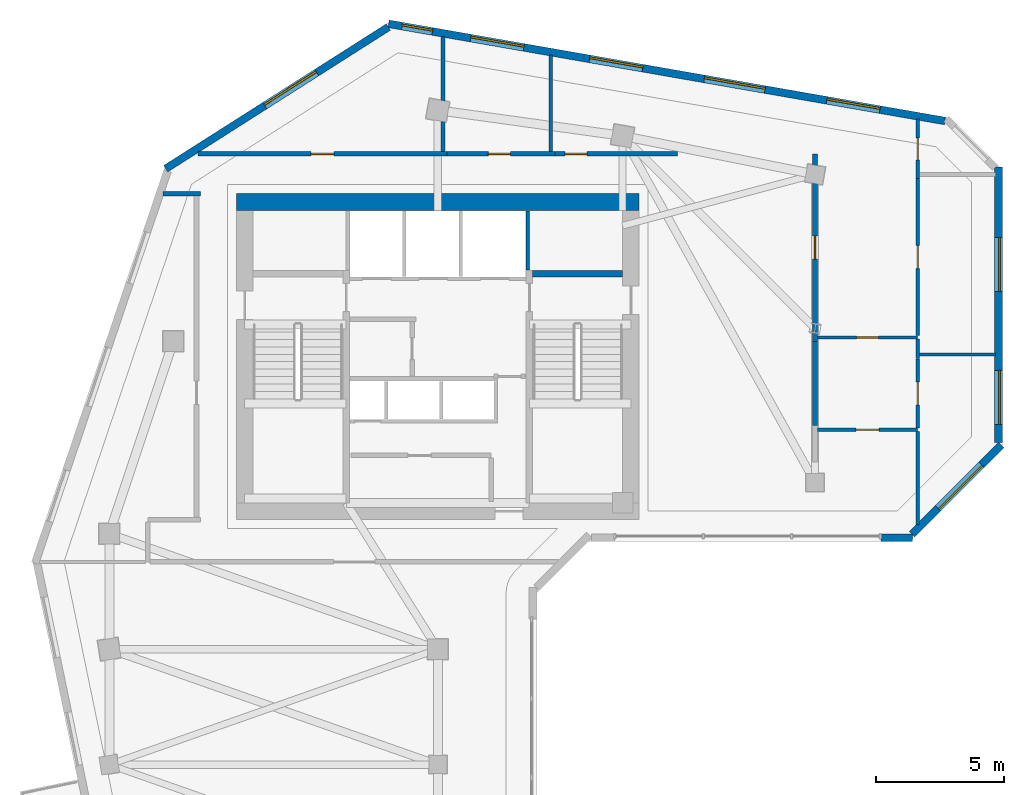
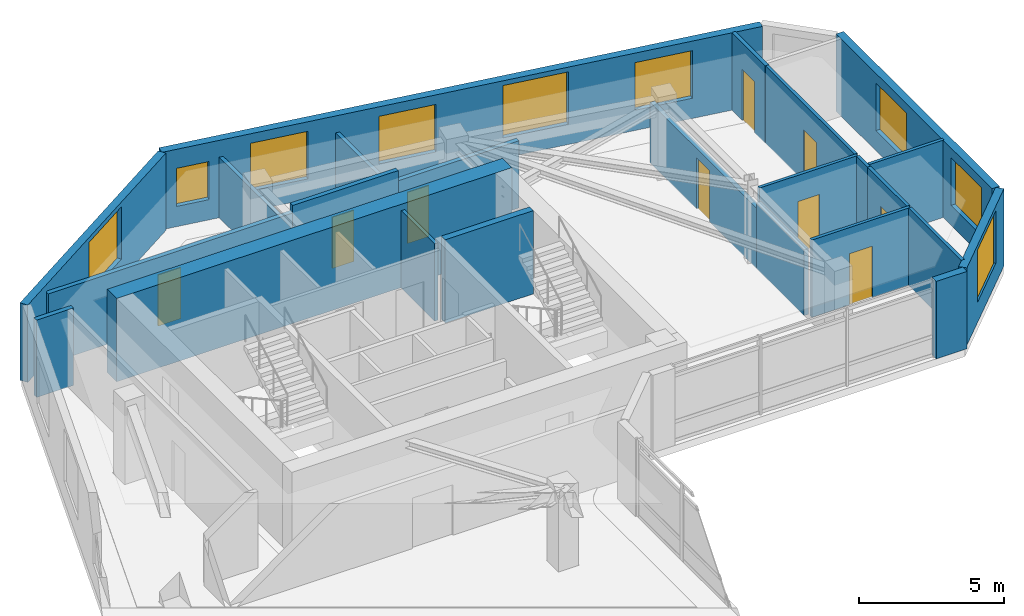
# One storey, part 5 of 9: 24 walls, 9 doors, 9 windows, 18 openings.
"""IFC4 building model written with IfcOpenShell, lengths in metres."""

import ifcopenshell
import ifcopenshell.guid

model = None  # the IFC model being written
_history = None  # IfcOwnerHistory: only IFC2X3 demands one
_inside = {}  # id of a spatial element -> (the spatial element, [elements in it])
_under = {}  # id of a project, library or spatial element -> (it, [spatial elements below it])
_declared = {}  # id of a project -> (the project, [libraries it declares])
_typed = {}  # id of a type object -> (the type object, [elements of that type])
_made_of = {}  # id of a material, layer set ... -> (it, [elements and type objects made of it])


def new_model(schema):
    """Start an empty IFC model of exactly this schema.

    Asked for "IFC4X3", IfcOpenShell would pick the latest addendum, in which some entities
    have other attributes; the version numbers below select the first issue.
    IFC2X3 requires an IfcOwnerHistory on every rooted entity: one is made here for all.
    """
    global model, _history
    if schema == "IFC4X3":
        model = ifcopenshell.file(schema_version=(4, 3, 0, 0))
    else:
        model = ifcopenshell.file(schema=schema)
    _inside.clear()
    _under.clear()
    _declared.clear()
    _typed.clear()
    _made_of.clear()
    _history = None
    if model.schema == "IFC2X3":
        org = make("IfcOrganization", Name="unknown")
        user = make(
            "IfcPersonAndOrganization",
            ThePerson=make("IfcPerson", FamilyName="unknown"),
            TheOrganization=org,
        )
        app = make(
            "IfcApplication",
            ApplicationDeveloper=org,
            Version="unknown",
            ApplicationFullName="unknown",
            ApplicationIdentifier="unknown",
        )
        _history = make(
            "IfcOwnerHistory",
            OwningUser=user,
            OwningApplication=app,
            ChangeAction="ADDED",
            CreationDate=0,
        )
    return model


def make(cls, **values):
    """One entity of the class cls with the attributes given. An attribute that is None is left unset."""
    return model.create_entity(
        cls, **{name: value for name, value in values.items() if value is not None}
    )


def rooted(cls, **values):
    """An entity with a GlobalId (a new one), such as an element, a storey or a relation."""
    return make(cls, GlobalId=ifcopenshell.guid.new(), OwnerHistory=_history, **values)


def si_unit(unit_type, name, prefix=None):
    """IfcSIUnit, for example si_unit("LENGTHUNIT", "METRE", prefix="MILLI")."""
    return make("IfcSIUnit", UnitType=unit_type, Prefix=prefix, Name=name)


def assignment(units):
    """IfcUnitAssignment: the units of a project."""
    return None if units is None else make("IfcUnitAssignment", Units=units)


def point(xyz):
    """IfcCartesianPoint."""
    return None if xyz is None else make("IfcCartesianPoint", Coordinates=xyz)


def direction(xyz):
    """IfcDirection."""
    return None if xyz is None else make("IfcDirection", DirectionRatios=xyz)


def frame(location, z_axis=None, x_axis=None):
    """IfcAxis2Placement3D, a coordinate frame: its origin and axes. An axis left out is left unset."""
    return make(
        "IfcAxis2Placement3D",
        Location=point(location),
        Axis=direction(z_axis),
        RefDirection=direction(x_axis),
    )


def frame_2d(location, x_axis=None):
    """IfcAxis2Placement2D, a coordinate frame in the plane: its origin and x axis."""
    return make(
        "IfcAxis2Placement2D", Location=point(location), RefDirection=direction(x_axis)
    )


def origin():
    """The frame at (0, 0, 0) with its axes left unset."""
    return frame((0.0, 0.0, 0.0))


def place(relative_to, where):
    """IfcLocalPlacement: puts the frame where relative to a parent placement (None: the world)."""
    return make(
        "IfcLocalPlacement", PlacementRelTo=relative_to, RelativePlacement=where
    )


def context(
    kind, dimensions, precision=None, world=None, true_north=None, identifier=None
):
    """IfcGeometricRepresentationContext, for example the 3D "Model" context."""
    return make(
        "IfcGeometricRepresentationContext",
        ContextIdentifier=identifier,
        ContextType=kind,
        CoordinateSpaceDimension=dimensions,
        Precision=precision,
        WorldCoordinateSystem=world,
        TrueNorth=true_north,
    )


def subcontext(parent, identifier, kind, view, scale=None):
    """IfcGeometricRepresentationSubContext, for example "Body" below "Model"."""
    return make(
        "IfcGeometricRepresentationSubContext",
        ContextIdentifier=identifier,
        ContextType=kind,
        ParentContext=parent,
        TargetScale=scale,
        TargetView=view,
    )


def project(units=None, contexts=None):
    """IfcProject with its units and contexts."""
    return rooted(
        "IfcProject",
        Name="project",
        RepresentationContexts=contexts,
        UnitsInContext=assignment(units),
    )


def spatial(cls, under=None, at=None, **own):
    """A site, building, storey or space (cls), placed at a placement, below another one or the project."""
    s = rooted(cls, ObjectPlacement=at, **own)
    if under is not None:
        _under.setdefault(under.id(), (under, []))[1].append(s)
    return s


def profile(cls, at=None, kind="AREA", **sizes):
    """A parametric profile (cls). Its sizes go by their IFC names, for example OverallWidth=200.0."""
    return make(cls, ProfileType=kind, Position=at, **sizes)


def rectangle(**sizes):
    """IfcRectangleProfileDef."""
    return profile("IfcRectangleProfileDef", **sizes)


def extrude(swept, where, along, depth):
    """IfcExtrudedAreaSolid: the profile swept, set in the frame where, extruded along a direction by depth."""
    return make(
        "IfcExtrudedAreaSolid",
        SweptArea=swept,
        Position=where,
        ExtrudedDirection=direction(along),
        Depth=depth,
    )


def shape(context_of_items, identifier, shape_type, items):
    """IfcShapeRepresentation: the items that make up one representation, for example the "Body"."""
    return make(
        "IfcShapeRepresentation",
        ContextOfItems=context_of_items,
        RepresentationIdentifier=identifier,
        RepresentationType=shape_type,
        Items=items,
    )


def source(mapping_origin, context_of_items, identifier, shape_type, items):
    """IfcRepresentationMap: a shape defined once, which mapped items show again and again."""
    return make(
        "IfcRepresentationMap",
        MappingOrigin=mapping_origin,
        MappedRepresentation=shape(context_of_items, identifier, shape_type, items),
    )


def transform(
    local_origin,
    x_axis=None,
    y_axis=None,
    z_axis=None,
    scale=None,
    scale2=None,
    scale3=None,
    uniform=True,
):
    """IfcCartesianTransformationOperator3D, or its non-uniform kind. x_axis, y_axis, z_axis: its Axis1, 2, 3."""
    if uniform:
        return make(
            "IfcCartesianTransformationOperator3D",
            Axis1=direction(x_axis),
            Axis2=direction(y_axis),
            LocalOrigin=point(local_origin),
            Scale=scale,
            Axis3=direction(z_axis),
        )
    return make(
        "IfcCartesianTransformationOperator3DnonUniform",
        Axis1=direction(x_axis),
        Axis2=direction(y_axis),
        LocalOrigin=point(local_origin),
        Scale=scale,
        Axis3=direction(z_axis),
        Scale2=scale2,
        Scale3=scale3,
    )


def mapped(mapping_source, mapping_target):
    """IfcMappedItem: shows the shape of a source again, moved by a transform."""
    return make(
        "IfcMappedItem", MappingSource=mapping_source, MappingTarget=mapping_target
    )


def material(Name=None, Category=None):
    """IfcMaterial."""
    return make("IfcMaterial", Name=Name, Category=Category)


def layer(
    of_material, thickness, ventilated=None, Name=None, Category=None, Priority=None
):
    """IfcMaterialLayer: one layer of a wall or slab, of a material (None: an air gap)."""
    return make(
        "IfcMaterialLayer",
        Material=of_material,
        LayerThickness=thickness,
        IsVentilated=ventilated,
        Name=Name,
        Category=Category,
        Priority=Priority,
    )


def layer_set(layers, Name=None):
    """IfcMaterialLayerSet."""
    return make("IfcMaterialLayerSet", MaterialLayers=layers, LayerSetName=Name)


def made_of(thing, what):
    """Note that an element or type object is made of a material, layer set ...; save() writes the relation."""
    if what is not None:
        _made_of.setdefault(what.id(), (what, []))[1].append(thing)
    return thing


def type_object(cls, material=None, **own):
    """A type object (cls), such as IfcWallType, which elements share."""
    return made_of(rooted(cls, **own), material)


def element(
    cls,
    number,
    at=None,
    inside=None,
    cuts=None,
    type_object=None,
    material=None,
    context=None,
    identifier="Body",
    shape_type=None,
    held_by="IfcProductDefinitionShape",
    body=None,
    shapes=None,
    **own,
):
    """One element of the class cls, such as IfcWall. Its Tag is "e" and its number.

    at: its placement. inside: the storey or other place that contains it. cuts: it is an
    opening in that element (IfcRelVoidsElement). A single representation is given by context,
    identifier, shape_type and body (its items); several are given by shapes. held_by: the class
    of the entity that holds the representations. save() writes the other relations.
    """
    e = rooted(cls, Tag="e%d" % number, ObjectPlacement=at, **own)
    if body is not None:
        shapes = [shape(context, identifier, shape_type, body)]
    if shapes is not None:
        e.Representation = make(held_by, Representations=shapes)
    if inside is not None:
        _inside.setdefault(inside.id(), (inside, []))[1].append(e)
    if cuts is not None:
        rooted(
            "IfcRelVoidsElement", RelatingBuildingElement=cuts, RelatedOpeningElement=e
        )
    if type_object is not None:
        _typed.setdefault(type_object.id(), (type_object, []))[1].append(e)
    return made_of(e, material)


def fill(opening, filler):
    """IfcRelFillsElement: the door or window that sits in an opening."""
    return rooted(
        "IfcRelFillsElement",
        RelatingOpeningElement=opening,
        RelatedBuildingElement=filler,
    )


def aggregate(whole, parts):
    """IfcRelAggregates: a whole, such as a stair, and the parts it consists of."""
    return rooted("IfcRelAggregates", RelatingObject=whole, RelatedObjects=parts)


def save(model, path):
    """Write the relations noted so far, then the file.

    IfcRelAggregates (storeys below a building ...), IfcRelContainedInSpatialStructure (elements
    in a storey), IfcRelDefinesByType, IfcRelAssociatesMaterial and IfcRelDeclares: one each for
    every whole, place, type object, material and project.
    """
    for whole, parts in _under.values():
        aggregate(whole, parts)
    for where, things in _inside.values():
        rooted(
            "IfcRelContainedInSpatialStructure",
            RelatedElements=things,
            RelatingStructure=where,
        )
    for kind, things in _typed.values():
        rooted("IfcRelDefinesByType", RelatedObjects=things, RelatingType=kind)
    for what, things in _made_of.values():
        rooted("IfcRelAssociatesMaterial", RelatedObjects=things, RelatingMaterial=what)
    for by, libraries in _declared.values():
        rooted("IfcRelDeclares", RelatingContext=by, RelatedDefinitions=libraries)
    model.write(path)


model = new_model("IFC4")

# Units and contexts
model_context = context("Model", 3, precision=1e-05, world=origin(), true_north=direction((0.0, 1.0)))
body_context = subcontext(model_context, "Body", "Model", "MODEL_VIEW")
ifc_project = project(units=[si_unit("LENGTHUNIT", "METRE"), si_unit("AREAUNIT", "SQUARE_METRE"), si_unit("VOLUMEUNIT", "CUBIC_METRE"), si_unit("PLANEANGLEUNIT", "RADIAN"), si_unit("MASSUNIT", "GRAM", prefix="KILO")], contexts=[model_context])

# Site, building, storey
site_placement = place(None, origin())
site = spatial("IfcSite", under=ifc_project, at=site_placement, CompositionType="ELEMENT")
building_placement = place(site_placement, origin())
building = spatial("IfcBuilding", under=site, at=building_placement, Name="Calvemar Wedge Station Tower", CompositionType="ELEMENT")
storey_placement = place(building_placement, frame((0.0, 0.0, 211.39990234375)))
storey = spatial("IfcBuildingStorey", under=building, at=storey_placement, Name="L53", CompositionType="ELEMENT", Elevation=211.39990234375)

# Walls
ifc_material_1 = material(Name="Concrete C50", Category="concrete")
ifc_layer_1 = layer(ifc_material_1, 0.260009765625)
ifc_layer_set_1 = layer_set([ifc_layer_1], Name="Concrete C50")
wall_type_1 = type_object("IfcWallType", Name="SW-CORE-260", PredefinedType="SHEAR", material=ifc_layer_set_1)
wall_1_placement = place(storey_placement, frame((27.5, 43.1298828125, 0.0), z_axis=(0.0, 0.0, 1.0), x_axis=(1.0, 0.0, 0.0)))
element("IfcWall", 1, at=wall_1_placement, inside=storey, type_object=wall_type_1, Name="Storey L53 Core Shear Wall STC2-N", PredefinedType="SHEAR", context=body_context, shape_type="SweptSolid", body=[
    extrude(rectangle(XDim=3.5, YDim=0.260009765625, at=frame_2d((1.75, 0.0))), origin(), (0.0, 0.0, 1.0), 3.5),
])
ifc_material_2 = material(Name="Concrete C60", Category="concrete")
ifc_layer_2 = layer(ifc_material_2, 0.64990234375)
ifc_layer_set_2 = layer_set([ifc_layer_2], Name="Concrete C60")
wall_type_2 = type_object("IfcWallType", Name="SW-CORE-650", PredefinedType="SHEAR", material=ifc_layer_set_2)
wall_2_placement = place(storey_placement, frame((15.949951171875, 45.925048828125, 0.0), z_axis=(0.0, 0.0, 1.0), x_axis=(1.0, 0.0, 0.0)))
element("IfcWall", 2, at=wall_2_placement, inside=storey, type_object=wall_type_2, Name="Storey L53 Core Shear Wall N", PredefinedType="SHEAR", context=body_context, shape_type="SweptSolid", body=[
    extrude(rectangle(XDim=15.699951171875, YDim=0.64990234375, at=frame_2d((7.85009765625, 0.0))), origin(), (0.0, 0.0, 1.0), 3.5),
])
ifc_material_3 = material(Name="Double-stud fire-rated corridor partition")
ifc_layer_3 = layer(ifc_material_3, 0.179931640625)
ifc_layer_set_3 = layer_set([ifc_layer_3], Name="Double-stud fire-rated corridor partition")
wall_type_3 = type_object("IfcWallType", Name="W-CORR-180", PredefinedType="PARTITIONING", material=ifc_layer_set_3)
wall_3_placement = place(storey_placement, frame((14.56005859375, 46.25, 0.0), z_axis=(0.0, 0.0, 1.0), x_axis=(-1.0, 0.0, 0.0)))
element("IfcWall", 3, at=wall_3_placement, inside=storey, type_object=wall_type_3, Name="Storey L53 Interior Partition WL-L53-010", PredefinedType="PARTITIONING", context=body_context, shape_type="SweptSolid", body=[
    extrude(rectangle(XDim=1.46875, YDim=0.179931640625, at=frame_2d((0.734375, 0.0))), origin(), (0.0, 0.0, 1.0), 3.25),
])

# Wall, opening, door
wall_4_placement = place(storey_placement, frame((14.45263671875, 47.800048828125, 0.0), z_axis=(0.0, 0.0, 1.0), x_axis=(1.0, 0.0, 0.0)))
wall_4 = element("IfcWall", 4, at=wall_4_placement, inside=storey, type_object=wall_type_3, Name="Storey L53 Interior Partition WL-L53-011", PredefinedType="PARTITIONING", context=body_context, shape_type="SweptSolid", body=[
    extrude(rectangle(XDim=9.707275390625, YDim=0.179931640625, at=frame_2d((4.853515625, 0.0))), origin(), (0.0, 0.0, 1.0), 2.93408203125),
])
shared_shape_1 = source(origin(), body_context, "Body", "SweptSolid", [
    extrude(rectangle(XDim=0.89990234375, YDim=2.14990234375, at=frame_2d((0.449951171875, 1.074951171875))), frame((0.0, 0.10009765625, 0.0), z_axis=(0.0, -1.0, 0.0), x_axis=(1.0, 0.0, 0.0)), (0.0, 0.0, 1.0), 0.199951171875),
])
opening_1_placement = place(wall_4_placement, frame((4.40380859375, 0.0, 0.0)))
opening_1 = element("IfcOpeningElement", 5, at=opening_1_placement, cuts=wall_4, Name="Opening D-01", PredefinedType="OPENING", context=body_context, shape_type="MappedRepresentation", body=[
    mapped(shared_shape_1, transform((0.0, 0.0, 0.0), scale=1.0)),
])
ifc_material_4 = material(Name="Architectural hardwood acoustic swing door", Category="wood")
door_type_1 = type_object("IfcDoorType", Name="DR-INT-900", OperationType="NOTDEFINED", PredefinedType="DOOR", material=ifc_material_4)
shared_shape_2 = source(origin(), body_context, "Body", "SweptSolid", [
    extrude(rectangle(XDim=0.89990234375, YDim=2.14990234375, at=frame_2d((0.449951171875, 1.074951171875))), frame((0.0, 0.02490234375, 0.0), z_axis=(0.0, -1.0, 0.0), x_axis=(1.0, 0.0, 0.0)), (0.0, 0.0, 1.0), 0.050048828125),
])
door_1_placement = place(opening_1_placement, origin())
door_1 = element("IfcDoor", 6, at=door_1_placement, inside=storey, type_object=door_type_1, Name="L53 Fitness Studio Door", OperationType="SINGLE_SWING_RIGHT", OverallHeight=2.14990234375, OverallWidth=0.89990234375, PredefinedType="DOOR", context=body_context, shape_type="MappedRepresentation", body=[
    mapped(shared_shape_2, transform((0.0, 0.0, 0.0), scale=1.0)),
])
fill(opening_1, door_1)

wall_5_placement = place(storey_placement, frame((24.162109375, 47.800048828125, 0.0), z_axis=(0.0, 0.0, 1.0), x_axis=(1.0, 0.0, 0.0)))
wall_5 = element("IfcWall", 7, at=wall_5_placement, inside=storey, type_object=wall_type_3, Name="Storey L53 Interior Partition WL-L53-012", PredefinedType="PARTITIONING", context=body_context, shape_type="SweptSolid", body=[
    extrude(rectangle(XDim=4.197998046875, YDim=0.179931640625, at=frame_2d((2.09912109375, 0.0))), origin(), (0.0, 0.0, 1.0), 3.25),
])
shared_shape_3 = source(origin(), body_context, "Body", "SweptSolid", [
    extrude(rectangle(XDim=0.85009765625, YDim=2.14990234375, at=frame_2d((0.425048828125, 1.074951171875))), frame((0.0, 0.10009765625, 0.0), z_axis=(0.0, -1.0, 0.0), x_axis=(1.0, 0.0, 0.0)), (0.0, 0.0, 1.0), 0.199951171875),
])
opening_2_placement = place(wall_5_placement, frame((1.61328125, 0.0, 0.0)))
opening_2 = element("IfcOpeningElement", 8, at=opening_2_placement, cuts=wall_5, Name="Opening D-02", PredefinedType="OPENING", context=body_context, shape_type="MappedRepresentation", body=[
    mapped(shared_shape_3, transform((0.0, 0.0, 0.0), scale=1.0)),
])
ifc_material_5 = material(Name="Moisture-sealed bathroom hardwood swing door", Category="wood")
door_type_2 = type_object("IfcDoorType", Name="DR-WET-850", OperationType="NOTDEFINED", PredefinedType="DOOR", material=ifc_material_5)
shared_shape_4 = source(origin(), body_context, "Body", "SweptSolid", [
    extrude(rectangle(XDim=0.85009765625, YDim=2.14990234375, at=frame_2d((0.425048828125, 1.074951171875))), frame((0.0, 0.02490234375, 0.0), z_axis=(0.0, -1.0, 0.0), x_axis=(1.0, 0.0, 0.0)), (0.0, 0.0, 1.0), 0.050048828125),
])
door_2_placement = place(opening_2_placement, origin())
door_2 = element("IfcDoor", 9, at=door_2_placement, inside=storey, type_object=door_type_2, Name="L53 Accessible WC Door", OperationType="SINGLE_SWING_LEFT", OverallHeight=2.14990234375, OverallWidth=0.85009765625, PredefinedType="DOOR", context=body_context, shape_type="MappedRepresentation", body=[
    mapped(shared_shape_4, transform((0.0, 0.0, 0.0), scale=1.0)),
])
fill(opening_2, door_2)

wall_6_placement = place(storey_placement, frame((28.362060546875, 47.800048828125, 0.0), z_axis=(0.0, 0.0, 1.0), x_axis=(1.0, 0.0, 0.0)))
wall_6 = element("IfcWall", 10, at=wall_6_placement, inside=storey, type_object=wall_type_3, Name="Storey L53 Interior Partition WL-L53-013", PredefinedType="PARTITIONING", context=body_context, shape_type="SweptSolid", body=[
    extrude(rectangle(XDim=4.787841796875, YDim=0.179931640625, at=frame_2d((2.39404296875, 0.0))), origin(), (0.0, 0.0, 1.0), 2.822021484375),
])
opening_3_placement = place(wall_6_placement, frame((0.400634765625, 0.0, 0.0)))
opening_3 = element("IfcOpeningElement", 11, at=opening_3_placement, cuts=wall_6, Name="Opening D-02", PredefinedType="OPENING", context=body_context, shape_type="MappedRepresentation", body=[
    mapped(shared_shape_3, transform((0.0, 0.0, 0.0), scale=1.0)),
])
door_3_placement = place(opening_3_placement, origin())
door_3 = element("IfcDoor", 12, at=door_3_placement, inside=storey, type_object=door_type_2, Name="L53 Storage Room Door", OperationType="SINGLE_SWING_RIGHT", OverallHeight=2.14990234375, OverallWidth=0.85009765625, PredefinedType="DOOR", context=body_context, shape_type="MappedRepresentation", body=[
    mapped(shared_shape_4, transform((0.0, 0.0, 0.0), scale=1.0)),
])
fill(opening_3, door_3)

wall_7_placement = place(storey_placement, frame((38.5, 47.800048828125, 0.0), z_axis=(0.0, 0.0, 1.0), x_axis=(0.0, -1.0, 0.0)))
wall_7 = element("IfcWall", 13, at=wall_7_placement, inside=storey, type_object=wall_type_3, Name="Storey L53 Interior Partition WL-L53-018", PredefinedType="PARTITIONING", context=body_context, shape_type="SweptSolid", body=[
    extrude(rectangle(XDim=7.31103515625, YDim=0.179931640625, at=frame_2d((3.655517578125, 0.0))), origin(), (0.0, 0.0, 1.0), 2.5419921875),
])
opening_4_placement = place(wall_7_placement, frame((3.20556640625, 0.0, 0.0)))
opening_4 = element("IfcOpeningElement", 14, at=opening_4_placement, cuts=wall_7, Name="Opening FD-60", PredefinedType="OPENING", context=body_context, shape_type="MappedRepresentation", body=[
    mapped(shared_shape_1, transform((0.0, 0.0, 0.0), scale=1.0)),
])
ifc_material_6 = material(Name="Fire-rated acoustic timber-core entrance door EI 60", Category="wood")
door_type_3 = type_object("IfcDoorType", Name="DR-FD60-900", OperationType="NOTDEFINED", PredefinedType="DOOR", material=ifc_material_6)
shared_shape_5 = source(origin(), body_context, "Body", "SweptSolid", [
    extrude(rectangle(XDim=0.89990234375, YDim=2.14990234375, at=frame_2d((0.449951171875, 1.074951171875))), frame((0.0, 0.02490234375, 0.0), z_axis=(0.0, -1.0, 0.0), x_axis=(1.0, 0.0, 0.0)), (0.0, 0.0, 1.0), 0.050048828125),
])
door_4_placement = place(opening_4_placement, origin())
door_4 = element("IfcDoor", 15, at=door_4_placement, inside=storey, type_object=door_type_3, Name="L53 Living Dining Door", OperationType="SINGLE_SWING_RIGHT", OverallHeight=2.14990234375, OverallWidth=0.89990234375, PredefinedType="DOOR", context=body_context, shape_type="MappedRepresentation", body=[
    mapped(shared_shape_5, transform((0.0, 0.0, 0.0), scale=1.0)),
])
fill(opening_4, door_4)

# Walls
wall_8_placement = place(storey_placement, frame((38.5, 40.487060546875, 0.0), z_axis=(0.0, 0.0, 1.0), x_axis=(0.0, -1.0, 0.0)))
element("IfcWall", 16, at=wall_8_placement, inside=storey, type_object=wall_type_3, Name="Storey L53 Interior Partition WL-L53-019", PredefinedType="PARTITIONING", context=body_context, shape_type="SweptSolid", body=[
    extrude(rectangle(XDim=3.276123046875, YDim=0.179931640625, at=frame_2d((1.63818359375, 0.0))), origin(), (0.0, 0.0, 1.0), 2.76611328125),
])
ifc_material_7 = material(Name="Precast concrete C45", Category="concrete")
ifc_layer_4 = layer(ifc_material_7, 0.300048828125)
ifc_layer_set_4 = layer_set([ifc_layer_4], Name="Precast concrete C45")
wall_type_4 = type_object("IfcWallType", Name="W-EXT-GFRC-300", PredefinedType="SOLIDWALL", material=ifc_layer_set_4)
wall_9_placement = place(storey_placement, frame((41.060302734375, 32.842041015625, 0.0), z_axis=(0.0, 0.0, 1.0), x_axis=(1.0, 0.0, 0.0)))
element("IfcWall", 17, at=wall_9_placement, inside=storey, type_object=wall_type_4, Name="Storey L53 Bronze GFRC Corner Pier 6B", PredefinedType="SOLIDWALL", context=body_context, shape_type="SweptSolid", body=[
    extrude(rectangle(XDim=1.2275390625, YDim=0.300048828125, at=frame_2d((0.61376953125, 0.0))), origin(), (0.0, 0.0, 1.0), 3.25),
])

# Wall, opening, window
wall_10_placement = place(storey_placement, frame((42.27587890625, 32.97998046875, 0.0), z_axis=(0.0, 0.0, 1.0), x_axis=(0.707106781187, 0.707106781187, 0.0)))
wall_10 = element("IfcWall", 18, at=wall_10_placement, inside=storey, type_object=wall_type_4, Name="Storey L53 Bronze GFRC Exterior Wall 7", PredefinedType="SOLIDWALL", context=body_context, shape_type="SweptSolid", body=[
    extrude(rectangle(XDim=4.921875, YDim=0.300048828125, at=frame_2d((2.4609375, 0.0))), origin(), (0.0, 0.0, 1.0), 3.25),
])
shared_shape_6 = source(origin(), body_context, "Body", "SweptSolid", [
    extrude(rectangle(XDim=2.39990234375, YDim=2.199951171875, at=frame_2d((1.199951171875, 1.10009765625))), frame((0.0, 0.16015625, 0.0), z_axis=(0.0, -1.0, 0.0), x_axis=(1.0, 0.0, 0.0)), (0.0, 0.0, 1.0), 0.320068359375),
])
opening_5_placement = place(wall_10_placement, frame((1.427001953125, 0.0, 0.85009765625)))
opening_5 = element("IfcOpeningElement", 19, at=opening_5_placement, cuts=wall_10, Name="Opening W1", PredefinedType="OPENING", context=body_context, shape_type="MappedRepresentation", body=[
    mapped(shared_shape_6, transform((0.0, 0.0, 0.0), scale=1.0)),
])
ifc_material_8 = material(Name="Low-E laminated insulated glass", Category="glass")
window_type_1 = type_object("IfcWindowType", Name="WIN-EXT-1", PartitioningType="SINGLE_PANEL", PredefinedType="WINDOW", material=ifc_material_8)
shared_shape_7 = source(origin(), body_context, "Body", "SweptSolid", [
    extrude(rectangle(XDim=2.39990234375, YDim=2.199951171875, at=frame_2d((1.199951171875, 1.10009765625))), frame((0.0, -0.014892578125, 0.0), z_axis=(0.0, -1.0, 0.0), x_axis=(1.0, 0.0, 0.0)), (0.0, 0.0, 1.0), 0.06005859375),
])
window_1_placement = place(opening_5_placement, origin())
window_1 = element("IfcWindow", 20, at=window_1_placement, inside=storey, type_object=window_type_1, Name="Storey L53 Recessed Window 7.1", OverallHeight=2.199951171875, OverallWidth=2.39990234375, PartitioningType="SINGLE_PANEL", PredefinedType="WINDOW", context=body_context, shape_type="MappedRepresentation", body=[
    mapped(shared_shape_7, transform((0.0, 0.0, 0.0), scale=1.0)),
])
fill(opening_5, window_1)

# Wall, openings, windows
wall_11_placement = place(storey_placement, frame((45.64990234375, 36.54931640625, 0.0), z_axis=(0.0, 0.0, 1.0), x_axis=(0.0, 1.0, 0.0)))
wall_11 = element("IfcWall", 21, at=wall_11_placement, inside=storey, type_object=wall_type_4, Name="Storey L53 Bronze GFRC Exterior Wall 8", PredefinedType="SOLIDWALL", context=body_context, shape_type="SweptSolid", body=[
    extrude(rectangle(XDim=10.73046875, YDim=0.300048828125, at=frame_2d((5.365234375, 0.0))), origin(), (0.0, 0.0, 1.0), 3.25),
])
shared_shape_8 = source(origin(), body_context, "Body", "SweptSolid", [
    extrude(rectangle(XDim=2.10009765625, YDim=2.0, at=frame_2d((1.050048828125, 1.0))), frame((0.0, 0.16015625, 0.0), z_axis=(0.0, -1.0, 0.0), x_axis=(1.0, 0.0, 0.0)), (0.0, 0.0, 1.0), 0.320068359375),
])
opening_6_placement = place(wall_11_placement, frame((0.714111328125, 0.0, 0.85009765625)))
opening_6 = element("IfcOpeningElement", 22, at=opening_6_placement, cuts=wall_11, Name="Opening W4", PredefinedType="OPENING", context=body_context, shape_type="MappedRepresentation", body=[
    mapped(shared_shape_8, transform((0.0, 0.0, 0.0), scale=1.0)),
])
opening_7_placement = place(wall_11_placement, frame((5.888916015625, 0.0, 0.85009765625)))
opening_7 = element("IfcOpeningElement", 23, at=opening_7_placement, cuts=wall_11, Name="Opening W4", PredefinedType="OPENING", context=body_context, shape_type="MappedRepresentation", body=[
    mapped(shared_shape_8, transform((0.0, 0.0, 0.0), scale=1.0)),
])
window_type_2 = type_object("IfcWindowType", Name="WIN-EXT-4", PartitioningType="SINGLE_PANEL", PredefinedType="WINDOW", material=ifc_material_8)
shared_shape_9 = source(origin(), body_context, "Body", "SweptSolid", [
    extrude(rectangle(XDim=2.10009765625, YDim=2.0, at=frame_2d((1.050048828125, 1.0))), frame((0.0, -0.014892578125, 0.0), z_axis=(0.0, -1.0, 0.0), x_axis=(1.0, 0.0, 0.0)), (0.0, 0.0, 1.0), 0.06005859375),
])
window_2_placement = place(opening_6_placement, origin())
window_2 = element("IfcWindow", 24, at=window_2_placement, inside=storey, type_object=window_type_2, Name="Storey L53 Recessed Window 8.1", OverallHeight=2.0, OverallWidth=2.10009765625, PartitioningType="SINGLE_PANEL", PredefinedType="WINDOW", context=body_context, shape_type="MappedRepresentation", body=[
    mapped(shared_shape_9, transform((0.0, 0.0, 0.0), scale=1.0)),
])
fill(opening_6, window_2)
window_3_placement = place(opening_7_placement, origin())
window_3 = element("IfcWindow", 25, at=window_3_placement, inside=storey, type_object=window_type_2, Name="Storey L53 Recessed Window 8.2", OverallHeight=2.0, OverallWidth=2.10009765625, PartitioningType="SINGLE_PANEL", PredefinedType="WINDOW", context=body_context, shape_type="MappedRepresentation", body=[
    mapped(shared_shape_9, transform((0.0, 0.0, 0.0), scale=1.0)),
])
fill(opening_7, window_3)

wall_12_placement = place(storey_placement, frame((43.561279296875, 49.081298828125, 0.0), z_axis=(0.0, 0.0, 1.0), x_axis=(-0.985083967494, 0.17207433564, 0.0)))
wall_12 = element("IfcWall", 26, at=wall_12_placement, inside=storey, type_object=wall_type_4, Name="Storey L53 Bronze GFRC Exterior Wall 10", PredefinedType="SOLIDWALL", context=body_context, shape_type="SweptSolid", body=[
    extrude(rectangle(XDim=22.005615234375, YDim=0.300048828125, at=frame_2d((11.0029296875, 0.0))), origin(), (0.0, 0.0, 1.0), 3.25),
])
opening_8_placement = place(wall_12_placement, frame((2.572998046875, 0.0, 0.85009765625)))
opening_8 = element("IfcOpeningElement", 27, at=opening_8_placement, cuts=wall_12, Name="Opening W4", PredefinedType="OPENING", context=body_context, shape_type="MappedRepresentation", body=[
    mapped(shared_shape_8, transform((0.0, 0.0, 0.0), scale=1.0)),
])
opening_9_placement = place(wall_12_placement, frame((7.115966796875, 0.0, 0.85009765625)))
opening_9 = element("IfcOpeningElement", 28, at=opening_9_placement, cuts=wall_12, Name="Opening W1", PredefinedType="OPENING", context=body_context, shape_type="MappedRepresentation", body=[
    mapped(shared_shape_6, transform((0.0, 0.0, 0.0), scale=1.0)),
])
opening_10_placement = place(wall_12_placement, frame((11.9580078125, 0.0, 0.85009765625)))
opening_10 = element("IfcOpeningElement", 29, at=opening_10_placement, cuts=wall_12, Name="Opening W4", PredefinedType="OPENING", context=body_context, shape_type="MappedRepresentation", body=[
    mapped(shared_shape_8, transform((0.0, 0.0, 0.0), scale=1.0)),
])
opening_11_placement = place(wall_12_placement, frame((16.656005859375, 0.0, 0.85009765625)))
opening_11 = element("IfcOpeningElement", 30, at=opening_11_placement, cuts=wall_12, Name="Opening W4", PredefinedType="OPENING", context=body_context, shape_type="MappedRepresentation", body=[
    mapped(shared_shape_8, transform((0.0, 0.0, 0.0), scale=1.0)),
])
shared_shape_10 = source(origin(), body_context, "Body", "SweptSolid", [
    extrude(rectangle(XDim=1.199951171875, YDim=1.60009765625, at=frame_2d((0.60009765625, 0.800048828125))), frame((0.0, 0.16015625, 0.0), z_axis=(0.0, -1.0, 0.0), x_axis=(1.0, 0.0, 0.0)), (0.0, 0.0, 1.0), 0.320068359375),
])
opening_12_placement = place(wall_12_placement, frame((20.27197265625, 0.0, 0.85009765625)))
opening_12 = element("IfcOpeningElement", 31, at=opening_12_placement, cuts=wall_12, Name="Opening W5", PredefinedType="OPENING", context=body_context, shape_type="MappedRepresentation", body=[
    mapped(shared_shape_10, transform((0.0, 0.0, 0.0), scale=1.0)),
])
window_4_placement = place(opening_8_placement, origin())
window_4 = element("IfcWindow", 32, at=window_4_placement, inside=storey, type_object=window_type_2, Name="Storey L53 Recessed Window 10.1", OverallHeight=2.0, OverallWidth=2.10009765625, PartitioningType="SINGLE_PANEL", PredefinedType="WINDOW", context=body_context, shape_type="MappedRepresentation", body=[
    mapped(shared_shape_9, transform((0.0, 0.0, 0.0), scale=1.0)),
])
fill(opening_8, window_4)
window_5_placement = place(opening_10_placement, origin())
window_5 = element("IfcWindow", 33, at=window_5_placement, inside=storey, type_object=window_type_2, Name="Storey L53 Recessed Window 10.3", OverallHeight=2.0, OverallWidth=2.10009765625, PartitioningType="SINGLE_PANEL", PredefinedType="WINDOW", context=body_context, shape_type="MappedRepresentation", body=[
    mapped(shared_shape_9, transform((0.0, 0.0, 0.0), scale=1.0)),
])
fill(opening_10, window_5)
window_6_placement = place(opening_11_placement, origin())
window_6 = element("IfcWindow", 34, at=window_6_placement, inside=storey, type_object=window_type_2, Name="Storey L53 Recessed Window 10.4", OverallHeight=2.0, OverallWidth=2.10009765625, PartitioningType="SINGLE_PANEL", PredefinedType="WINDOW", context=body_context, shape_type="MappedRepresentation", body=[
    mapped(shared_shape_9, transform((0.0, 0.0, 0.0), scale=1.0)),
])
fill(opening_11, window_6)
window_7_placement = place(opening_9_placement, origin())
window_7 = element("IfcWindow", 35, at=window_7_placement, inside=storey, type_object=window_type_1, Name="Storey L53 Recessed Window 10.2", OverallHeight=2.199951171875, OverallWidth=2.39990234375, PartitioningType="SINGLE_PANEL", PredefinedType="WINDOW", context=body_context, shape_type="MappedRepresentation", body=[
    mapped(shared_shape_7, transform((0.0, 0.0, 0.0), scale=1.0)),
])
fill(opening_9, window_7)
window_type_3 = type_object("IfcWindowType", Name="WIN-EXT-5", PartitioningType="SINGLE_PANEL", PredefinedType="WINDOW", material=ifc_material_8)
shared_shape_11 = source(origin(), body_context, "Body", "SweptSolid", [
    extrude(rectangle(XDim=1.199951171875, YDim=1.60009765625, at=frame_2d((0.60009765625, 0.800048828125))), frame((0.0, -0.014892578125, 0.0), z_axis=(0.0, -1.0, 0.0), x_axis=(1.0, 0.0, 0.0)), (0.0, 0.0, 1.0), 0.06005859375),
])
window_8_placement = place(opening_12_placement, origin())
window_8 = element("IfcWindow", 36, at=window_8_placement, inside=storey, type_object=window_type_3, Name="Storey L53 Recessed Window 10.5", OverallHeight=1.60009765625, OverallWidth=1.199951171875, PartitioningType="SINGLE_PANEL", PredefinedType="WINDOW", context=body_context, shape_type="MappedRepresentation", body=[
    mapped(shared_shape_11, transform((0.0, 0.0, 0.0), scale=1.0)),
])
fill(opening_12, window_8)

# Wall, opening, window
wall_13_placement = place(storey_placement, frame((21.873779296875, 52.741943359375, 0.0), z_axis=(0.0, 0.0, 1.0), x_axis=(-0.84365659959, -0.536883173482, 0.0)))
wall_13 = element("IfcWall", 37, at=wall_13_placement, inside=storey, type_object=wall_type_4, Name="Storey L53 Bronze GFRC Exterior Wall 11", PredefinedType="SOLIDWALL", context=body_context, shape_type="SweptSolid", body=[
    extrude(rectangle(XDim=10.282958984375, YDim=0.300048828125, at=frame_2d((5.1416015625, 0.0))), origin(), (0.0, 0.0, 1.0), 3.25),
])
opening_13_placement = place(wall_13_placement, frame((3.306884765625, 0.0, 0.85009765625)))
opening_13 = element("IfcOpeningElement", 38, at=opening_13_placement, cuts=wall_13, Name="Opening W1", PredefinedType="OPENING", context=body_context, shape_type="MappedRepresentation", body=[
    mapped(shared_shape_6, transform((0.0, 0.0, 0.0), scale=1.0)),
])
window_9_placement = place(opening_13_placement, origin())
window_9 = element("IfcWindow", 39, at=window_9_placement, inside=storey, type_object=window_type_1, Name="Storey L53 Recessed Window 11.1", OverallHeight=2.199951171875, OverallWidth=2.39990234375, PartitioningType="SINGLE_PANEL", PredefinedType="WINDOW", context=body_context, shape_type="MappedRepresentation", body=[
    mapped(shared_shape_7, transform((0.0, 0.0, 0.0), scale=1.0)),
])
fill(opening_13, window_9)

# Wall
ifc_material_9 = material(Name="Reinforced concrete blockwork lift shaft wall", Category="masonry")
ifc_layer_5 = layer(ifc_material_9, 0.139892578125)
ifc_layer_set_5 = layer_set([ifc_layer_5], Name="Reinforced concrete blockwork lift shaft wall")
wall_type_5 = type_object("IfcWallType", Name="W-LIFT-160", PredefinedType="SOLIDWALL", material=ifc_layer_set_5)
wall_14_placement = place(storey_placement, frame((27.31005859375, 43.280029296875, 0.0), z_axis=(0.0, 0.0, 1.0), x_axis=(0.0, 1.0, 0.0)))
element("IfcWall", 40, at=wall_14_placement, inside=storey, type_object=wall_type_5, Name="Storey L53 Firefighting Lift Shaft Enclosure Wall E", PredefinedType="SOLIDWALL", context=body_context, shape_type="SweptSolid", body=[
    extrude(rectangle(XDim=2.300048828125, YDim=0.139892578125, at=frame_2d((1.14990234375, 0.0))), origin(), (0.0, 0.0, 1.0), 3.25),
])

# Wall, opening, door
ifc_material_10 = material(Name="Insulated acoustic gypsum stud partition")
ifc_layer_6 = layer(ifc_material_10, 0.125)
ifc_layer_set_6 = layer_set([ifc_layer_6], Name="Insulated acoustic gypsum stud partition")
wall_type_6 = type_object("IfcWallType", Name="W-PART-125", PredefinedType="PARTITIONING", material=ifc_layer_set_6)
wall_15_placement = place(storey_placement, frame((38.593994140625, 37.049072265625, 0.0), z_axis=(0.0, 0.0, 1.0), x_axis=(1.0, 0.0, 0.0)))
wall_15 = element("IfcWall", 41, at=wall_15_placement, inside=storey, type_object=wall_type_6, Name="Storey L53 Interior Partition WL-L53-020", PredefinedType="PARTITIONING", context=body_context, shape_type="SweptSolid", body=[
    extrude(rectangle(XDim=3.906005859375, YDim=0.125, at=frame_2d((1.953125, 0.0))), origin(), (0.0, 0.0, 1.0), 3.25),
])
shared_shape_12 = source(origin(), body_context, "Body", "SweptSolid", [
    extrude(rectangle(XDim=0.89990234375, YDim=2.14990234375, at=frame_2d((0.449951171875, 1.074951171875))), frame((0.0, 0.072509765625, 0.0), z_axis=(0.0, -1.0, 0.0), x_axis=(1.0, 0.0, 0.0)), (0.0, 0.0, 1.0), 0.14501953125),
])
opening_14_placement = place(wall_15_placement, frame((1.5029296875, 0.0, 0.0)))
opening_14 = element("IfcOpeningElement", 42, at=opening_14_placement, cuts=wall_15, Name="Opening D-01", PredefinedType="OPENING", context=body_context, shape_type="MappedRepresentation", body=[
    mapped(shared_shape_12, transform((0.0, 0.0, 0.0), scale=1.0)),
])
door_5_placement = place(opening_14_placement, origin())
door_5 = element("IfcDoor", 43, at=door_5_placement, inside=storey, type_object=door_type_1, Name="L53 Study Door", OperationType="SINGLE_SWING_LEFT", OverallHeight=2.14990234375, OverallWidth=0.89990234375, PredefinedType="DOOR", context=body_context, shape_type="MappedRepresentation", body=[
    mapped(shared_shape_2, transform((0.0, 0.0, 0.0), scale=1.0)),
])
fill(opening_14, door_5)

# Wall
wall_16_placement = place(storey_placement, frame((42.5, 36.982421875, 0.0), z_axis=(0.0, 0.0, 1.0), x_axis=(0.0, -1.0, 0.0)))
element("IfcWall", 44, at=wall_16_placement, inside=storey, type_object=wall_type_6, Name="Storey L53 Interior Partition WL-L53-021", PredefinedType="PARTITIONING", context=body_context, shape_type="SweptSolid", body=[
    extrude(rectangle(XDim=3.61572265625, YDim=0.125, at=frame_2d((1.807861328125, 0.0))), origin(), (0.0, 0.0, 1.0), 3.25),
])

# Wall, opening, door
wall_17_placement = place(storey_placement, frame((42.5, 40.64892578125, 0.0), z_axis=(0.0, 0.0, 1.0), x_axis=(-1.0, 0.0, 0.0)))
wall_17 = element("IfcWall", 45, at=wall_17_placement, inside=storey, type_object=wall_type_6, Name="Storey L53 Interior Partition WL-L53-022", PredefinedType="PARTITIONING", context=body_context, shape_type="SweptSolid", body=[
    extrude(rectangle(XDim=3.906005859375, YDim=0.125, at=frame_2d((1.953125, 0.0))), origin(), (0.0, 0.0, 1.0), 3.25),
])
shared_shape_13 = source(origin(), body_context, "Body", "SweptSolid", [
    extrude(rectangle(XDim=0.85009765625, YDim=2.14990234375, at=frame_2d((0.425048828125, 1.074951171875))), frame((0.0, 0.072509765625, 0.0), z_axis=(0.0, -1.0, 0.0), x_axis=(1.0, 0.0, 0.0)), (0.0, 0.0, 1.0), 0.14501953125),
])
opening_15_placement = place(wall_17_placement, frame((1.528076171875, 0.0, 0.0)))
opening_15 = element("IfcOpeningElement", 46, at=opening_15_placement, cuts=wall_17, Name="Opening D-02", PredefinedType="OPENING", context=body_context, shape_type="MappedRepresentation", body=[
    mapped(shared_shape_13, transform((0.0, 0.0, 0.0), scale=1.0)),
])
door_6_placement = place(opening_15_placement, origin())
door_6 = element("IfcDoor", 47, at=door_6_placement, inside=storey, type_object=door_type_2, Name="L53 Kitchen Door", OperationType="SINGLE_SWING_LEFT", OverallHeight=2.14990234375, OverallWidth=0.85009765625, PredefinedType="DOOR", context=body_context, shape_type="MappedRepresentation", body=[
    mapped(shared_shape_4, transform((0.0, 0.0, 0.0), scale=1.0)),
])
fill(opening_15, door_6)

wall_18_placement = place(storey_placement, frame((42.5, 46.8369140625, 0.0), z_axis=(0.0, 0.0, 1.0), x_axis=(0.0, -1.0, 0.0)))
wall_18 = element("IfcWall", 48, at=wall_18_placement, inside=storey, type_object=wall_type_6, Name="Storey L53 Interior Partition WL-L53-024", PredefinedType="PARTITIONING", context=body_context, shape_type="SweptSolid", body=[
    extrude(rectangle(XDim=6.121337890625, YDim=0.125, at=frame_2d((3.060546875, 0.0))), origin(), (0.0, 0.0, 1.0), 3.25),
])
opening_16_placement = place(wall_18_placement, frame((2.61083984375, 0.0, 0.0)))
opening_16 = element("IfcOpeningElement", 49, at=opening_16_placement, cuts=wall_18, Name="Opening D-01", PredefinedType="OPENING", context=body_context, shape_type="MappedRepresentation", body=[
    mapped(shared_shape_12, transform((0.0, 0.0, 0.0), scale=1.0)),
])
door_7_placement = place(opening_16_placement, origin())
door_7 = element("IfcDoor", 50, at=door_7_placement, inside=storey, type_object=door_type_1, Name="L53 Master Bedroom Door", OperationType="SINGLE_SWING_LEFT", OverallHeight=2.14990234375, OverallWidth=0.89990234375, PredefinedType="DOOR", context=body_context, shape_type="MappedRepresentation", body=[
    mapped(shared_shape_2, transform((0.0, 0.0, 0.0), scale=1.0)),
])
fill(opening_16, door_7)

# Wall
wall_19_placement = place(storey_placement, frame((42.5, 40.58251953125, 0.0), z_axis=(0.0, 0.0, 1.0), x_axis=(0.0, -1.0, 0.0)))
element("IfcWall", 51, at=wall_19_placement, inside=storey, type_object=wall_type_6, Name="Storey L53 Interior Partition WL-L53-025", PredefinedType="PARTITIONING", context=body_context, shape_type="SweptSolid", body=[
    extrude(rectangle(XDim=0.764404296875, YDim=0.125, at=frame_2d((0.38232421875, 0.0))), origin(), (0.0, 0.0, 1.0), 3.25),
])

# Wall, opening, door
wall_20_placement = place(storey_placement, frame((42.5, 39.81591796875, 0.0), z_axis=(0.0, 0.0, 1.0), x_axis=(0.0, -1.0, 0.0)))
wall_20 = element("IfcWall", 52, at=wall_20_placement, inside=storey, type_object=wall_type_6, Name="Storey L53 Interior Partition WL-L53-026", PredefinedType="PARTITIONING", context=body_context, shape_type="SweptSolid", body=[
    extrude(rectangle(XDim=2.700439453125, YDim=0.125, at=frame_2d((1.35009765625, 0.0))), origin(), (0.0, 0.0, 1.0), 3.25),
])
opening_17_placement = place(wall_20_placement, frame((0.900390625, 0.0, 0.0)))
opening_17 = element("IfcOpeningElement", 53, at=opening_17_placement, cuts=wall_20, Name="Opening D-01", PredefinedType="OPENING", context=body_context, shape_type="MappedRepresentation", body=[
    mapped(shared_shape_12, transform((0.0, 0.0, 0.0), scale=1.0)),
])
door_8_placement = place(opening_17_placement, origin())
door_8 = element("IfcDoor", 54, at=door_8_placement, inside=storey, type_object=door_type_1, Name="L53 Master Bedroom Door", OperationType="SINGLE_SWING_RIGHT", OverallHeight=2.14990234375, OverallWidth=0.89990234375, PredefinedType="DOOR", context=body_context, shape_type="MappedRepresentation", body=[
    mapped(shared_shape_2, transform((0.0, 0.0, 0.0), scale=1.0)),
])
fill(opening_17, door_8)

# Walls
wall_21_placement = place(storey_placement, frame((45.534912109375, 39.97802734375, 0.0), z_axis=(0.0, 0.0, 1.0), x_axis=(-1.0, 0.0, 0.0)))
element("IfcWall", 55, at=wall_21_placement, inside=storey, type_object=wall_type_6, Name="Storey L53 Interior Partition WL-L53-028", PredefinedType="PARTITIONING", context=body_context, shape_type="SweptSolid", body=[
    extrude(rectangle(XDim=2.968505859375, YDim=0.125, at=frame_2d((1.484375, 0.0))), origin(), (0.0, 0.0, 1.0), 3.25),
])
ifc_material_11 = material(Name="Moisture-resistant acoustic bathroom partition")
ifc_layer_7 = layer(ifc_material_11, 0.14990234375)
ifc_layer_set_7 = layer_set([ifc_layer_7], Name="Moisture-resistant acoustic bathroom partition")
wall_type_7 = type_object("IfcWallType", Name="W-WET-150", PredefinedType="PARTITIONING", material=ifc_layer_set_7)
wall_22_placement = place(storey_placement, frame((24.0, 52.381591796875, 0.0), z_axis=(0.0, 0.0, 1.0), x_axis=(0.0, -1.0, 0.0)))
element("IfcWall", 56, at=wall_22_placement, inside=storey, type_object=wall_type_7, Name="Storey L53 Interior Partition WL-L53-015", PredefinedType="PARTITIONING", context=body_context, shape_type="SweptSolid", body=[
    extrude(rectangle(XDim=4.487548828125, YDim=0.14990234375, at=frame_2d((2.24365234375, 0.0))), origin(), (0.0, 0.0, 1.0), 2.5419921875),
])
wall_23_placement = place(storey_placement, frame((28.199951171875, 51.64794921875, 0.0), z_axis=(0.0, 0.0, 1.0), x_axis=(0.0, -1.0, 0.0)))
element("IfcWall", 57, at=wall_23_placement, inside=storey, type_object=wall_type_7, Name="Storey L53 Interior Partition WL-L53-016", PredefinedType="PARTITIONING", context=body_context, shape_type="SweptSolid", body=[
    extrude(rectangle(XDim=3.75390625, YDim=0.14990234375, at=frame_2d((1.876953125, 0.0))), origin(), (0.0, 0.0, 1.0), 2.5419921875),
])

# Wall, opening, door
wall_24_placement = place(storey_placement, frame((42.5, 49.150146484375, 0.0), z_axis=(0.0, 0.0, 1.0), x_axis=(0.0, -1.0, 0.0)))
wall_24 = element("IfcWall", 58, at=wall_24_placement, inside=storey, type_object=wall_type_7, Name="Storey L53 Interior Partition WL-L53-023", PredefinedType="PARTITIONING", context=body_context, shape_type="SweptSolid", body=[
    extrude(rectangle(XDim=2.31103515625, YDim=0.14990234375, at=frame_2d((1.155517578125, 0.0))), origin(), (0.0, 0.0, 1.0), 3.25),
])
shared_shape_14 = source(origin(), body_context, "Body", "SweptSolid", [
    extrude(rectangle(XDim=0.85009765625, YDim=2.14990234375, at=frame_2d((0.425048828125, 1.074951171875))), frame((0.0, 0.0849609375, 0.0), z_axis=(0.0, -1.0, 0.0), x_axis=(1.0, 0.0, 0.0)), (0.0, 0.0, 1.0), 0.169921875),
])
opening_18_placement = place(wall_24_placement, frame((0.730712890625, 0.0, 0.0)))
opening_18 = element("IfcOpeningElement", 59, at=opening_18_placement, cuts=wall_24, Name="Opening D-02", PredefinedType="OPENING", context=body_context, shape_type="MappedRepresentation", body=[
    mapped(shared_shape_14, transform((0.0, 0.0, 0.0), scale=1.0)),
])
door_9_placement = place(opening_18_placement, origin())
door_9 = element("IfcDoor", 60, at=door_9_placement, inside=storey, type_object=door_type_2, Name="L53 Bathroom Door", OperationType="SINGLE_SWING_RIGHT", OverallHeight=2.14990234375, OverallWidth=0.85009765625, PredefinedType="DOOR", context=body_context, shape_type="MappedRepresentation", body=[
    mapped(shared_shape_4, transform((0.0, 0.0, 0.0), scale=1.0)),
])
fill(opening_18, door_9)

save(model, "model.ifc")
